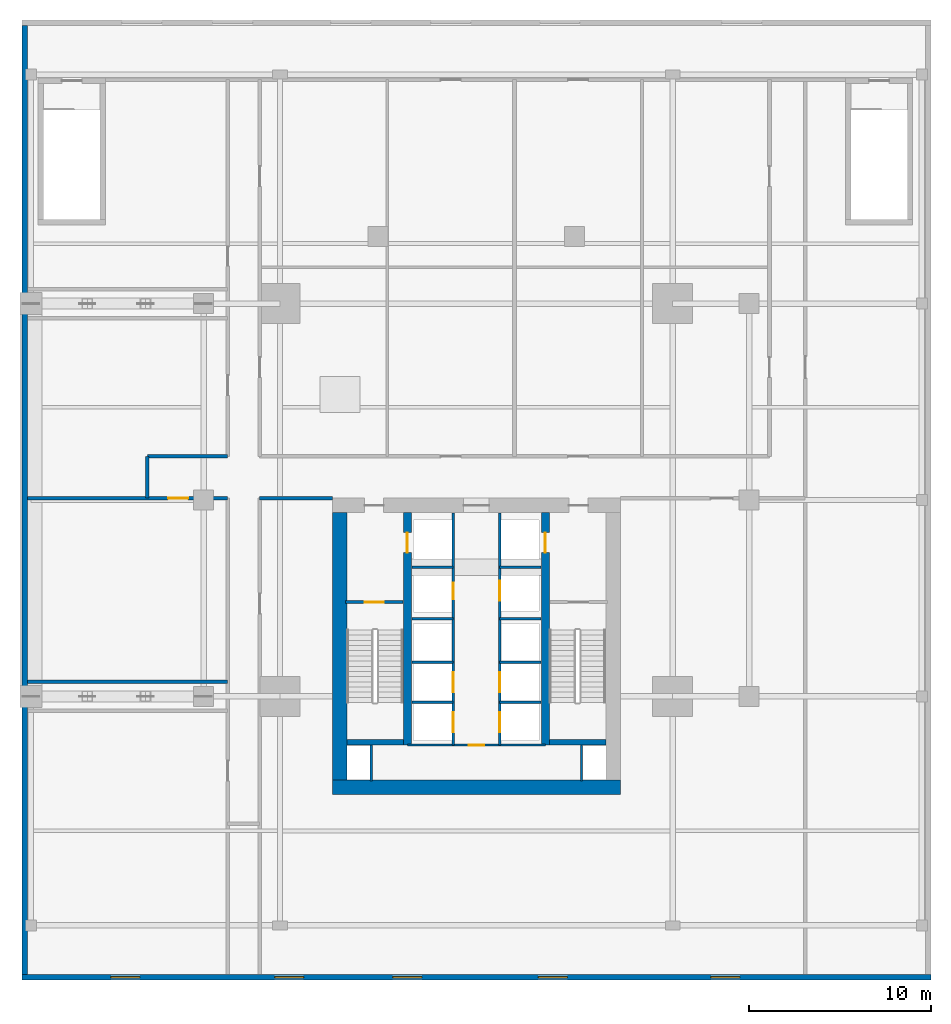
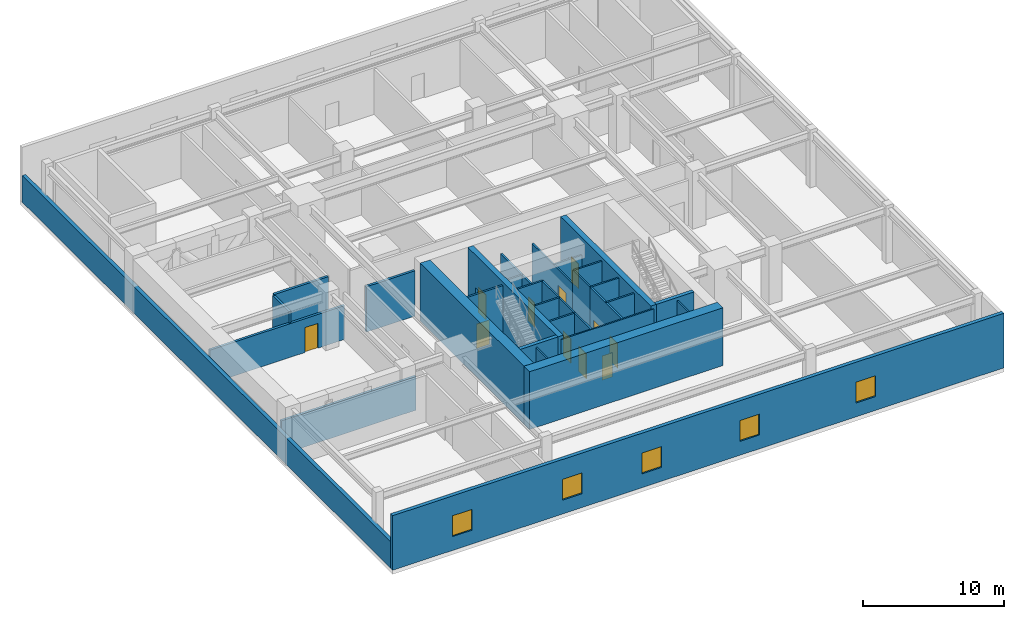
# One storey, part 3 of 7: 31 walls, 11 doors, 5 windows, 16 openings.
"""IFC4 building model written with IfcOpenShell, lengths in metres."""

from ifc_helpers import new_model, si_unit, direction, frame, frame_2d, origin, place, context, subcontext, project, spatial, rectangle, extrude, material, layer, layer_set, type_object, element, fill, save


model = new_model("IFC4")

# Units and contexts
model_context = context("Model", 3, precision=1e-05, world=origin(), true_north=direction((0.0, 1.0)))
body_context = subcontext(model_context, "Body", "Model", "MODEL_VIEW")
ifc_project = project(units=[si_unit("LENGTHUNIT", "METRE"), si_unit("AREAUNIT", "SQUARE_METRE"), si_unit("VOLUMEUNIT", "CUBIC_METRE"), si_unit("PLANEANGLEUNIT", "RADIAN"), si_unit("MASSUNIT", "GRAM", prefix="KILO")], contexts=[model_context])

# Site, building, storey
site_placement = place(None, origin())
site = spatial("IfcSite", under=ifc_project, at=site_placement, CompositionType="ELEMENT")
building_placement = place(site_placement, origin())
building = spatial("IfcBuilding", under=site, at=building_placement, Name="Krantzveldt Concourse Tower", CompositionType="ELEMENT")
storey_placement = place(building_placement, frame((0.0, 0.0, 20.0)))
storey = spatial("IfcBuildingStorey", under=building, at=storey_placement, Name="L04", CompositionType="ELEMENT", Elevation=20.0)

# Wall, openings, windows
ifc_material_1 = material(Name="Concrete C40/50", Category="concrete")
ifc_layer_1 = layer(ifc_material_1, 0.300048828125, Name="Concrete C40/50", Category="concrete")
ifc_layer_set_1 = layer_set([ifc_layer_1], Name="Concrete C40/50 (WL-EXT-GRAN300)")
wall_type_1 = type_object("IfcWallType", Name="WL-EXT-GRAN300", PredefinedType="SOLIDWALL", material=ifc_layer_set_1)
wall_1_placement = place(storey_placement, frame((61.0, 0.449951171875, 0.0), z_axis=(0.0, 0.0, 1.0), x_axis=(-1.0, 0.0, 0.0)))
wall_1 = element("IfcWall", 1, at=wall_1_placement, inside=storey, type_object=wall_type_1, Name="EW-L04-S", PredefinedType="SOLIDWALL", context=body_context, shape_type="SweptSolid", body=[
    extrude(rectangle(XDim=50.0, YDim=0.300048828125, at=frame_2d((25.0, 0.0))), origin(), (0.0, 0.0, 1.0), 4.719970703125),
])
opening_1_placement = place(wall_1_placement, frame((43.5, 0.0, 1.199951171875)))
opening_1 = element("IfcOpeningElement", 2, at=opening_1_placement, cuts=wall_1, Name="Opening W-LVR-1600x1800", PredefinedType="OPENING", context=body_context, shape_type="SweptSolid", body=[
    extrude(rectangle(XDim=1.60009765625, YDim=1.800048828125, at=frame_2d((0.800048828125, 0.89990234375))), frame((0.0, 0.16015625, 0.0), z_axis=(0.0, -1.0, 0.0), x_axis=(1.0, 0.0, 0.0)), (0.0, 0.0, 1.0), 0.320068359375),
])
opening_2_placement = place(wall_1_placement, frame((34.5, 0.0, 1.199951171875)))
opening_2 = element("IfcOpeningElement", 3, at=opening_2_placement, cuts=wall_1, Name="Opening W-LVR-1600x1800", PredefinedType="OPENING", context=body_context, shape_type="SweptSolid", body=[
    extrude(rectangle(XDim=1.60009765625, YDim=1.800048828125, at=frame_2d((0.800048828125, 0.89990234375))), frame((0.0, 0.16015625, 0.0), z_axis=(0.0, -1.0, 0.0), x_axis=(1.0, 0.0, 0.0)), (0.0, 0.0, 1.0), 0.320068359375),
])
opening_3_placement = place(wall_1_placement, frame((28.0, 0.0, 1.199951171875)))
opening_3 = element("IfcOpeningElement", 4, at=opening_3_placement, cuts=wall_1, Name="Opening W-LVR-1600x1800", PredefinedType="OPENING", context=body_context, shape_type="SweptSolid", body=[
    extrude(rectangle(XDim=1.60009765625, YDim=1.800048828125, at=frame_2d((0.800048828125, 0.89990234375))), frame((0.0, 0.16015625, 0.0), z_axis=(0.0, -1.0, 0.0), x_axis=(1.0, 0.0, 0.0)), (0.0, 0.0, 1.0), 0.320068359375),
])
opening_4_placement = place(wall_1_placement, frame((20.0, 0.0, 1.199951171875)))
opening_4 = element("IfcOpeningElement", 5, at=opening_4_placement, cuts=wall_1, Name="Opening W-LVR-1600x1800", PredefinedType="OPENING", context=body_context, shape_type="SweptSolid", body=[
    extrude(rectangle(XDim=1.60009765625, YDim=1.800048828125, at=frame_2d((0.800048828125, 0.89990234375))), frame((0.0, 0.16015625, 0.0), z_axis=(0.0, -1.0, 0.0), x_axis=(1.0, 0.0, 0.0)), (0.0, 0.0, 1.0), 0.320068359375),
])
opening_5_placement = place(wall_1_placement, frame((10.5, 0.0, 1.199951171875)))
opening_5 = element("IfcOpeningElement", 6, at=opening_5_placement, cuts=wall_1, Name="Opening W-LVR-1600x1800", PredefinedType="OPENING", context=body_context, shape_type="SweptSolid", body=[
    extrude(rectangle(XDim=1.60009765625, YDim=1.800048828125, at=frame_2d((0.800048828125, 0.89990234375))), frame((0.0, 0.16015625, 0.0), z_axis=(0.0, -1.0, 0.0), x_axis=(1.0, 0.0, 0.0)), (0.0, 0.0, 1.0), 0.320068359375),
])
ifc_material_2 = material(Name="Bronze-tinted laminated low-E IGU glass", Category="glass")
window_type = type_object("IfcWindowType", Name="WN-LVR-1600x1800", PartitioningType="SINGLE_PANEL", PredefinedType="WINDOW", material=ifc_material_2)
window_1_placement = place(opening_1_placement, origin())
window_1 = element("IfcWindow", 7, at=window_1_placement, inside=storey, type_object=window_type, Name="WN-L04-S01", OverallHeight=1.800048828125, OverallWidth=1.60009765625, PartitioningType="SINGLE_PANEL", PredefinedType="WINDOW", context=body_context, shape_type="SweptSolid", body=[
    extrude(rectangle(XDim=1.60009765625, YDim=1.800048828125, at=frame_2d((0.800048828125, 0.89990234375))), frame((0.0, 0.030029296875, 0.0), z_axis=(0.0, -1.0, 0.0), x_axis=(1.0, 0.0, 0.0)), (0.0, 0.0, 1.0), 0.06005859375),
])
fill(opening_1, window_1)
window_2_placement = place(opening_2_placement, origin())
window_2 = element("IfcWindow", 8, at=window_2_placement, inside=storey, type_object=window_type, Name="WN-L04-S02", OverallHeight=1.800048828125, OverallWidth=1.60009765625, PartitioningType="SINGLE_PANEL", PredefinedType="WINDOW", context=body_context, shape_type="SweptSolid", body=[
    extrude(rectangle(XDim=1.60009765625, YDim=1.800048828125, at=frame_2d((0.800048828125, 0.89990234375))), frame((0.0, 0.030029296875, 0.0), z_axis=(0.0, -1.0, 0.0), x_axis=(1.0, 0.0, 0.0)), (0.0, 0.0, 1.0), 0.06005859375),
])
fill(opening_2, window_2)
window_3_placement = place(opening_3_placement, origin())
window_3 = element("IfcWindow", 9, at=window_3_placement, inside=storey, type_object=window_type, Name="WN-L04-S03", OverallHeight=1.800048828125, OverallWidth=1.60009765625, PartitioningType="SINGLE_PANEL", PredefinedType="WINDOW", context=body_context, shape_type="SweptSolid", body=[
    extrude(rectangle(XDim=1.60009765625, YDim=1.800048828125, at=frame_2d((0.800048828125, 0.89990234375))), frame((0.0, 0.030029296875, 0.0), z_axis=(0.0, -1.0, 0.0), x_axis=(1.0, 0.0, 0.0)), (0.0, 0.0, 1.0), 0.06005859375),
])
fill(opening_3, window_3)
window_4_placement = place(opening_4_placement, origin())
window_4 = element("IfcWindow", 10, at=window_4_placement, inside=storey, type_object=window_type, Name="WN-L04-S04", OverallHeight=1.800048828125, OverallWidth=1.60009765625, PartitioningType="SINGLE_PANEL", PredefinedType="WINDOW", context=body_context, shape_type="SweptSolid", body=[
    extrude(rectangle(XDim=1.60009765625, YDim=1.800048828125, at=frame_2d((0.800048828125, 0.89990234375))), frame((0.0, 0.030029296875, 0.0), z_axis=(0.0, -1.0, 0.0), x_axis=(1.0, 0.0, 0.0)), (0.0, 0.0, 1.0), 0.06005859375),
])
fill(opening_4, window_4)
window_5_placement = place(opening_5_placement, origin())
window_5 = element("IfcWindow", 11, at=window_5_placement, inside=storey, type_object=window_type, Name="WN-L04-S05", OverallHeight=1.800048828125, OverallWidth=1.60009765625, PartitioningType="SINGLE_PANEL", PredefinedType="WINDOW", context=body_context, shape_type="SweptSolid", body=[
    extrude(rectangle(XDim=1.60009765625, YDim=1.800048828125, at=frame_2d((0.800048828125, 0.89990234375))), frame((0.0, 0.030029296875, 0.0), z_axis=(0.0, -1.0, 0.0), x_axis=(1.0, 0.0, 0.0)), (0.0, 0.0, 1.0), 0.06005859375),
])
fill(opening_5, window_5)

# Wall
wall_2_placement = place(storey_placement, frame((11.14990234375, 0.60009765625, 0.0), z_axis=(0.0, 0.0, 1.0), x_axis=(0.0, 1.0, 0.0)))
element("IfcWall", 12, at=wall_2_placement, inside=storey, type_object=wall_type_1, Name="EW-L04-W", PredefinedType="SOLIDWALL", context=body_context, shape_type="SweptSolid", body=[
    extrude(rectangle(XDim=52.199951171875, YDim=0.300048828125, at=frame_2d((26.10009765625, 0.0))), origin(), (0.0, 0.0, 1.0), 2.300048828125),
])

# Wall, opening, door
ifc_material_3 = material(Name="Fire-rated gypsum plasterboard on steel stud", Category="steel")
ifc_layer_2 = layer(ifc_material_3, 0.1201171875, Name="Fire-rated gypsum plasterboard on steel stud", Category="steel")
ifc_layer_set_2 = layer_set([ifc_layer_2], Name="Fire-rated gypsum plasterboard on steel stud (WL-PART-120)")
wall_type_2 = type_object("IfcWallType", Name="WL-PART-120", PredefinedType="PARTITIONING", material=ifc_layer_set_2)
wall_3_placement = place(storey_placement, frame((32.2099609375, 13.219970703125, 0.0), z_axis=(0.0, 0.0, 1.0), x_axis=(1.0, 0.0, 0.0)))
wall_3 = element("IfcWall", 13, at=wall_3_placement, inside=storey, type_object=wall_type_2, Name="WP-L04-CS2H", PredefinedType="PARTITIONING", context=body_context, shape_type="SweptSolid", body=[
    extrude(rectangle(XDim=7.580078125, YDim=0.1201171875, at=frame_2d((3.7900390625, 0.0))), origin(), (0.0, 0.0, 1.0), 4.719970703125),
])
opening_6_placement = place(wall_3_placement, frame((3.364990234375, 0.0, 0.0)))
opening_6 = element("IfcOpeningElement", 14, at=opening_6_placement, cuts=wall_3, Name="Opening D-IN085", PredefinedType="OPENING", context=body_context, shape_type="SweptSolid", body=[
    extrude(rectangle(XDim=0.85009765625, YDim=2.10009765625, at=frame_2d((0.425048828125, 1.050048828125))), frame((0.0, 0.070068359375, 0.0), z_axis=(0.0, -1.0, 0.0), x_axis=(1.0, 0.0, 0.0)), (0.0, 0.0, 1.0), 0.14013671875),
])
ifc_material_4 = material(Name="Hardwood timber", Category="wood")
door_type_1 = type_object("IfcDoorType", Name="DR-INT-850", OperationType="SINGLE_SWING_LEFT", PredefinedType="DOOR", material=ifc_material_4)
door_1_placement = place(opening_6_placement, origin())
door_1 = element("IfcDoor", 15, at=door_1_placement, inside=storey, type_object=door_type_1, Name="DR-L04-CSC1", OperationType="SINGLE_SWING_RIGHT", OverallHeight=2.10009765625, OverallWidth=0.85009765625, PredefinedType="DOOR", context=body_context, shape_type="SweptSolid", body=[
    extrude(rectangle(XDim=0.85009765625, YDim=2.10009765625, at=frame_2d((0.425048828125, 1.050048828125))), frame((0.0, 0.02490234375, 0.0), z_axis=(0.0, -1.0, 0.0), x_axis=(1.0, 0.0, 0.0)), (0.0, 0.0, 1.0), 0.050048828125),
])
fill(opening_6, door_1)

ifc_layer_3 = layer(ifc_material_3, 0.139892578125, Name="Fire-rated gypsum plasterboard on steel stud", Category="steel")
ifc_layer_set_3 = layer_set([ifc_layer_3], Name="Fire-rated gypsum plasterboard on steel stud (WL-PART-FR140)")
wall_type_3 = type_object("IfcWallType", Name="WL-PART-FR140", PredefinedType="PARTITIONING", material=ifc_layer_set_3)
wall_4_placement = place(storey_placement, frame((34.719970703125, 20.199951171875, 0.0), z_axis=(0.0, 0.0, 1.0), x_axis=(0.0, 1.0, 0.0)))
wall_4 = element("IfcWall", 16, at=wall_4_placement, inside=storey, type_object=wall_type_3, Name="WP-L04-SHNW", PredefinedType="PARTITIONING", context=body_context, shape_type="SweptSolid", body=[
    extrude(rectangle(XDim=5.780029296875, YDim=0.139892578125, at=frame_2d((2.89013671875, 0.0))), origin(), (0.0, 0.0, 1.0), 3.52001953125),
])
opening_7_placement = place(wall_4_placement, frame((1.050048828125, 0.0, 0.0)))
opening_7 = element("IfcOpeningElement", 17, at=opening_7_placement, cuts=wall_4, Name="Opening D-FD090", PredefinedType="OPENING", context=body_context, shape_type="SweptSolid", body=[
    extrude(rectangle(XDim=0.89990234375, YDim=2.10009765625, at=frame_2d((0.449951171875, 1.050048828125))), frame((0.0, 0.080078125, 0.0), z_axis=(0.0, -1.0, 0.0), x_axis=(1.0, 0.0, 0.0)), (0.0, 0.0, 1.0), 0.159912109375),
])
door_type_2 = type_object("IfcDoorType", Name="DR-FD60-900", OperationType="SINGLE_SWING_LEFT", PredefinedType="DOOR", material=ifc_material_4)
door_2_placement = place(opening_7_placement, origin())
door_2 = element("IfcDoor", 18, at=door_2_placement, inside=storey, type_object=door_type_2, Name="Electrical Riser Access Door L04", OperationType="SINGLE_SWING_LEFT", OverallHeight=2.10009765625, OverallWidth=0.89990234375, PredefinedType="DOOR", context=body_context, shape_type="SweptSolid", body=[
    extrude(rectangle(XDim=0.89990234375, YDim=2.10009765625, at=frame_2d((0.449951171875, 1.050048828125))), frame((0.0, 0.02490234375, 0.0), z_axis=(0.0, -1.0, 0.0), x_axis=(1.0, 0.0, 0.0)), (0.0, 0.0, 1.0), 0.050048828125),
])
fill(opening_7, door_2)

wall_5_placement = place(storey_placement, frame((37.280029296875, 20.199951171875, 0.0), z_axis=(0.0, 0.0, 1.0), x_axis=(0.0, 1.0, 0.0)))
wall_5 = element("IfcWall", 19, at=wall_5_placement, inside=storey, type_object=wall_type_3, Name="WP-L04-SHNE", PredefinedType="PARTITIONING", context=body_context, shape_type="SweptSolid", body=[
    extrude(rectangle(XDim=5.780029296875, YDim=0.139892578125, at=frame_2d((2.89013671875, 0.0))), origin(), (0.0, 0.0, 1.0), 3.52001953125),
])
opening_8_placement = place(wall_5_placement, frame((0.949951171875, 0.0, 0.0)))
opening_8 = element("IfcOpeningElement", 20, at=opening_8_placement, cuts=wall_5, Name="Opening LD", PredefinedType="OPENING", context=body_context, shape_type="SweptSolid", body=[
    extrude(rectangle(XDim=1.10009765625, YDim=2.14990234375, at=frame_2d((0.550048828125, 1.074951171875))), frame((0.0, 0.080078125, 0.0), z_axis=(0.0, -1.0, 0.0), x_axis=(1.0, 0.0, 0.0)), (0.0, 0.0, 1.0), 0.159912109375),
])
ifc_material_5 = material(Name="Stainless steel 316L", Category="steel")
door_type_3 = type_object("IfcDoorType", Name="DR-SLIDE-LD1100", OperationType="DOUBLE_DOOR_SLIDING", PredefinedType="DOOR", material=ifc_material_5)
door_3_placement = place(opening_8_placement, origin())
door_3 = element("IfcDoor", 21, at=door_3_placement, inside=storey, type_object=door_type_3, Name="LD-L04-GL1", OperationType="DOUBLE_DOOR_SLIDING", OverallHeight=2.14990234375, OverallWidth=1.10009765625, PredefinedType="DOOR", context=body_context, shape_type="SweptSolid", body=[
    extrude(rectangle(XDim=1.10009765625, YDim=2.14990234375, at=frame_2d((0.550048828125, 1.074951171875))), frame((0.0, 0.02490234375, 0.0), z_axis=(0.0, -1.0, 0.0), x_axis=(1.0, 0.0, 0.0)), (0.0, 0.0, 1.0), 0.050048828125),
])
fill(opening_8, door_3)

# Walls
for number, where, z_axis, x_axis, name in (
    (22, (32.449951171875, 23.0, 0.0), (0.0, 0.0, 1.0), (1.0, 0.0, 0.0), "WP-L04-RISH"),
    (23, (37.280029296875, 23.0, 0.0), (0.0, 0.0, 1.0), (1.0, 0.0, 0.0), "WP-L04-GLH"),
):
    element("IfcWall", number, at=place(storey_placement, frame(where, z_axis=z_axis, x_axis=x_axis)), inside=storey, type_object=wall_type_3, Name=name, PredefinedType="PARTITIONING", context=body_context, shape_type="SweptSolid", body=[
        extrude(rectangle(XDim=2.27001953125, YDim=0.139892578125, at=frame_2d((1.135009765625, 0.0))), origin(), (0.0, 0.0, 1.0), 3.52001953125),
    ])
for number, where, z_axis, x_axis, name in (
    (24, (34.719970703125, 17.780029296875, 0.0), (0.0, 0.0, 1.0), (0.0, 1.0, 0.0), "WP-L04-SHNW2"),
    (25, (37.280029296875, 17.780029296875, 0.0), (0.0, 0.0, 1.0), (0.0, 1.0, 0.0), "WP-L04-SHNE2"),
):
    element("IfcWall", number, at=place(storey_placement, frame(where, z_axis=z_axis, x_axis=x_axis)), inside=storey, type_object=wall_type_3, Name=name, PredefinedType="PARTITIONING", context=body_context, shape_type="SweptSolid", body=[
        extrude(rectangle(XDim=2.419921875, YDim=0.139892578125, at=frame_2d((1.2099609375, 0.0))), origin(), (0.0, 0.0, 1.0), 4.719970703125),
    ])
for number, where, z_axis, x_axis, name in (
    (26, (32.449951171875, 17.780029296875, 0.0), (0.0, 0.0, 1.0), (1.0, 0.0, 0.0), "WP-L04-DIVW2"),
    (27, (32.449951171875, 20.179931640625, 0.0), (0.0, 0.0, 1.0), (1.0, 0.0, 0.0), "WP-L04-DIVW3"),
    (28, (37.280029296875, 17.780029296875, 0.0), (0.0, 0.0, 1.0), (1.0, 0.0, 0.0), "WP-L04-DIVE2"),
    (29, (37.280029296875, 20.179931640625, 0.0), (0.0, 0.0, 1.0), (1.0, 0.0, 0.0), "WP-L04-DIVE3"),
):
    element("IfcWall", number, at=place(storey_placement, frame(where, z_axis=z_axis, x_axis=x_axis)), inside=storey, type_object=wall_type_3, Name=name, PredefinedType="PARTITIONING", context=body_context, shape_type="SweptSolid", body=[
        extrude(rectangle(XDim=2.27001953125, YDim=0.139892578125, at=frame_2d((1.135009765625, 0.0))), origin(), (0.0, 0.0, 1.0), 4.719970703125),
    ])

# Wall, openings, doors
wall_6_placement = place(storey_placement, frame((34.719970703125, 13.219970703125, 0.0), z_axis=(0.0, 0.0, 1.0), x_axis=(0.0, 1.0, 0.0)))
wall_6 = element("IfcWall", 30, at=wall_6_placement, inside=storey, type_object=wall_type_3, Name="WP-L04-SHSW", PredefinedType="PARTITIONING", context=body_context, shape_type="SweptSolid", body=[
    extrude(rectangle(XDim=4.56005859375, YDim=0.139892578125, at=frame_2d((2.280029296875, 0.0))), origin(), (0.0, 0.0, 1.0), 4.719970703125),
])
opening_9_placement = place(wall_6_placement, frame((0.7099609375, 0.0, 0.0)))
opening_9 = element("IfcOpeningElement", 31, at=opening_9_placement, cuts=wall_6, Name="Opening LD", PredefinedType="OPENING", context=body_context, shape_type="SweptSolid", body=[
    extrude(rectangle(XDim=1.10009765625, YDim=2.14990234375, at=frame_2d((0.550048828125, 1.074951171875))), frame((0.0, 0.080078125, 0.0), z_axis=(0.0, -1.0, 0.0), x_axis=(1.0, 0.0, 0.0)), (0.0, 0.0, 1.0), 0.159912109375),
])
opening_10_placement = place(wall_6_placement, frame((2.909912109375, 0.0, 0.0)))
opening_10 = element("IfcOpeningElement", 32, at=opening_10_placement, cuts=wall_6, Name="Opening LD", PredefinedType="OPENING", context=body_context, shape_type="SweptSolid", body=[
    extrude(rectangle(XDim=1.10009765625, YDim=2.14990234375, at=frame_2d((0.550048828125, 1.074951171875))), frame((0.0, 0.080078125, 0.0), z_axis=(0.0, -1.0, 0.0), x_axis=(1.0, 0.0, 0.0)), (0.0, 0.0, 1.0), 0.159912109375),
])
door_4_placement = place(opening_9_placement, origin())
door_4 = element("IfcDoor", 33, at=door_4_placement, inside=storey, type_object=door_type_3, Name="LD-L04-PL1", OperationType="DOUBLE_DOOR_SLIDING", OverallHeight=2.14990234375, OverallWidth=1.10009765625, PredefinedType="DOOR", context=body_context, shape_type="SweptSolid", body=[
    extrude(rectangle(XDim=1.10009765625, YDim=2.14990234375, at=frame_2d((0.550048828125, 1.074951171875))), frame((0.0, 0.02490234375, 0.0), z_axis=(0.0, -1.0, 0.0), x_axis=(1.0, 0.0, 0.0)), (0.0, 0.0, 1.0), 0.050048828125),
])
fill(opening_9, door_4)
door_5_placement = place(opening_10_placement, origin())
door_5 = element("IfcDoor", 34, at=door_5_placement, inside=storey, type_object=door_type_3, Name="LD-L04-PL2", OperationType="DOUBLE_DOOR_SLIDING", OverallHeight=2.14990234375, OverallWidth=1.10009765625, PredefinedType="DOOR", context=body_context, shape_type="SweptSolid", body=[
    extrude(rectangle(XDim=1.10009765625, YDim=2.14990234375, at=frame_2d((0.550048828125, 1.074951171875))), frame((0.0, 0.02490234375, 0.0), z_axis=(0.0, -1.0, 0.0), x_axis=(1.0, 0.0, 0.0)), (0.0, 0.0, 1.0), 0.050048828125),
])
fill(opening_10, door_5)

# Wall
wall_7_placement = place(storey_placement, frame((32.449951171875, 15.580078125, 0.0), z_axis=(0.0, 0.0, 1.0), x_axis=(1.0, 0.0, 0.0)))
element("IfcWall", 35, at=wall_7_placement, inside=storey, type_object=wall_type_3, Name="WP-L04-DIVW1", PredefinedType="PARTITIONING", context=body_context, shape_type="SweptSolid", body=[
    extrude(rectangle(XDim=2.27001953125, YDim=0.139892578125, at=frame_2d((1.135009765625, 0.0))), origin(), (0.0, 0.0, 1.0), 4.719970703125),
])

# Wall, openings, doors
wall_8_placement = place(storey_placement, frame((37.280029296875, 13.219970703125, 0.0), z_axis=(0.0, 0.0, 1.0), x_axis=(0.0, 1.0, 0.0)))
wall_8 = element("IfcWall", 36, at=wall_8_placement, inside=storey, type_object=wall_type_3, Name="WP-L04-SHSE", PredefinedType="PARTITIONING", context=body_context, shape_type="SweptSolid", body=[
    extrude(rectangle(XDim=4.56005859375, YDim=0.139892578125, at=frame_2d((2.280029296875, 0.0))), origin(), (0.0, 0.0, 1.0), 4.719970703125),
])
opening_11_placement = place(wall_8_placement, frame((0.7099609375, 0.0, 0.0)))
opening_11 = element("IfcOpeningElement", 37, at=opening_11_placement, cuts=wall_8, Name="Opening LD", PredefinedType="OPENING", context=body_context, shape_type="SweptSolid", body=[
    extrude(rectangle(XDim=1.10009765625, YDim=2.14990234375, at=frame_2d((0.550048828125, 1.074951171875))), frame((0.0, 0.080078125, 0.0), z_axis=(0.0, -1.0, 0.0), x_axis=(1.0, 0.0, 0.0)), (0.0, 0.0, 1.0), 0.159912109375),
])
opening_12_placement = place(wall_8_placement, frame((2.909912109375, 0.0, 0.0)))
opening_12 = element("IfcOpeningElement", 38, at=opening_12_placement, cuts=wall_8, Name="Opening LD", PredefinedType="OPENING", context=body_context, shape_type="SweptSolid", body=[
    extrude(rectangle(XDim=1.10009765625, YDim=2.14990234375, at=frame_2d((0.550048828125, 1.074951171875))), frame((0.0, 0.080078125, 0.0), z_axis=(0.0, -1.0, 0.0), x_axis=(1.0, 0.0, 0.0)), (0.0, 0.0, 1.0), 0.159912109375),
])
door_6_placement = place(opening_11_placement, origin())
door_6 = element("IfcDoor", 39, at=door_6_placement, inside=storey, type_object=door_type_3, Name="LD-L04-PM1", OperationType="DOUBLE_DOOR_SLIDING", OverallHeight=2.14990234375, OverallWidth=1.10009765625, PredefinedType="DOOR", context=body_context, shape_type="SweptSolid", body=[
    extrude(rectangle(XDim=1.10009765625, YDim=2.14990234375, at=frame_2d((0.550048828125, 1.074951171875))), frame((0.0, 0.02490234375, 0.0), z_axis=(0.0, -1.0, 0.0), x_axis=(1.0, 0.0, 0.0)), (0.0, 0.0, 1.0), 0.050048828125),
])
fill(opening_11, door_6)
door_7_placement = place(opening_12_placement, origin())
door_7 = element("IfcDoor", 40, at=door_7_placement, inside=storey, type_object=door_type_3, Name="LD-L04-PM2", OperationType="DOUBLE_DOOR_SLIDING", OverallHeight=2.14990234375, OverallWidth=1.10009765625, PredefinedType="DOOR", context=body_context, shape_type="SweptSolid", body=[
    extrude(rectangle(XDim=1.10009765625, YDim=2.14990234375, at=frame_2d((0.550048828125, 1.074951171875))), frame((0.0, 0.02490234375, 0.0), z_axis=(0.0, -1.0, 0.0), x_axis=(1.0, 0.0, 0.0)), (0.0, 0.0, 1.0), 0.050048828125),
])
fill(opening_12, door_7)

# Walls
wall_9_placement = place(storey_placement, frame((37.280029296875, 15.580078125, 0.0), z_axis=(0.0, 0.0, 1.0), x_axis=(1.0, 0.0, 0.0)))
element("IfcWall", 41, at=wall_9_placement, inside=storey, type_object=wall_type_3, Name="WP-L04-DIVE1", PredefinedType="PARTITIONING", context=body_context, shape_type="SweptSolid", body=[
    extrude(rectangle(XDim=2.27001953125, YDim=0.139892578125, at=frame_2d((1.135009765625, 0.0))), origin(), (0.0, 0.0, 1.0), 4.719970703125),
])
for number, where, z_axis, x_axis, name in (
    (42, (30.219970703125, 11.25, 0.0), (0.0, 0.0, 1.0), (0.0, 1.0, 0.0), "WP-L04-RSW"),
    (43, (41.780029296875, 11.25, 0.0), (0.0, 0.0, 1.0), (0.0, 1.0, 0.0), "WP-L04-RSE"),
):
    element("IfcWall", number, at=place(storey_placement, frame(where, z_axis=z_axis, x_axis=x_axis)), inside=storey, type_object=wall_type_3, Name=name, PredefinedType="PARTITIONING", context=body_context, shape_type="SweptSolid", body=[
        extrude(rectangle(XDim=1.969970703125, YDim=0.1201171875, at=frame_2d((0.98486328125, 0.0))), origin(), (0.0, 0.0, 1.0), 4.719970703125),
    ])

# Wall, opening, door
ifc_layer_4 = layer(ifc_material_3, 0.159912109375, Name="Fire-rated gypsum plasterboard on steel stud", Category="steel")
ifc_layer_set_4 = layer_set([ifc_layer_4], Name="Fire-rated gypsum plasterboard on steel stud (WL-PART-FR160)")
wall_type_4 = type_object("IfcWallType", Name="WL-PART-FR160", PredefinedType="PARTITIONING", material=ifc_layer_set_4)
wall_10_placement = place(storey_placement, frame((28.800048828125, 21.080078125, 0.0), z_axis=(0.0, 0.0, 1.0), x_axis=(1.0, 0.0, 0.0)))
wall_10 = element("IfcWall", 44, at=wall_10_placement, inside=storey, type_object=wall_type_4, Name="WP-L04-ST1", PredefinedType="PARTITIONING", context=body_context, shape_type="SweptSolid", body=[
    extrude(rectangle(XDim=3.159912109375, YDim=0.159912109375, at=frame_2d((1.580078125, 0.0))), origin(), (0.0, 0.0, 1.0), 4.719970703125),
])
opening_13_placement = place(wall_10_placement, frame((1.054931640625, 0.0, 0.0)))
opening_13 = element("IfcOpeningElement", 45, at=opening_13_placement, cuts=wall_10, Name="Opening D-FD105", PredefinedType="OPENING", context=body_context, shape_type="SweptSolid", body=[
    extrude(rectangle(XDim=1.050048828125, YDim=2.10009765625, at=frame_2d((0.52490234375, 1.050048828125))), frame((0.0, 0.08984375, 0.0), z_axis=(0.0, -1.0, 0.0), x_axis=(1.0, 0.0, 0.0)), (0.0, 0.0, 1.0), 0.179931640625),
])
ifc_material_6 = material(Name="Galvanised steel", Category="steel")
door_type_4 = type_object("IfcDoorType", Name="DR-FD120-1050", OperationType="SINGLE_SWING_LEFT", PredefinedType="DOOR", material=ifc_material_6)
door_8_placement = place(opening_13_placement, origin())
door_8 = element("IfcDoor", 46, at=door_8_placement, inside=storey, type_object=door_type_4, Name="DR-L04-ST1", OperationType="SINGLE_SWING_RIGHT", OverallHeight=2.10009765625, OverallWidth=1.050048828125, PredefinedType="DOOR", context=body_context, shape_type="SweptSolid", body=[
    extrude(rectangle(XDim=1.050048828125, YDim=2.10009765625, at=frame_2d((0.52490234375, 1.050048828125))), frame((0.0, 0.02490234375, 0.0), z_axis=(0.0, -1.0, 0.0), x_axis=(1.0, 0.0, 0.0)), (0.0, 0.0, 1.0), 0.050048828125),
])
fill(opening_13, door_8)

ifc_layer_5 = layer(ifc_material_3, 0.199951171875, Name="Fire-rated gypsum plasterboard on steel stud", Category="steel")
ifc_layer_set_5 = layer_set([ifc_layer_5], Name="Fire-rated gypsum plasterboard on steel stud (WL-PART-FR200)")
wall_type_5 = type_object("IfcWallType", Name="WL-PART-FR200", PredefinedType="PARTITIONING", material=ifc_layer_set_5)
wall_11_placement = place(storey_placement, frame((11.304931640625, 26.800048828125, 0.0), z_axis=(0.0, 0.0, 1.0), x_axis=(1.0, 0.0, 0.0)))
wall_11 = element("IfcWall", 47, at=wall_11_placement, inside=storey, type_object=wall_type_5, Name="WP-L04-S1", PredefinedType="PARTITIONING", context=body_context, shape_type="SweptSolid", body=[
    extrude(rectangle(XDim=11.01513671875, YDim=0.199951171875, at=frame_2d((5.507568359375, 0.0))), origin(), (0.0, 0.0, 1.0), 2.919921875),
])
opening_14_placement = place(wall_11_placement, frame((7.7451171875, 0.0, 0.0)))
opening_14 = element("IfcOpeningElement", 48, at=opening_14_placement, cuts=wall_11, Name="Opening D-FD110", PredefinedType="OPENING", context=body_context, shape_type="SweptSolid", body=[
    extrude(rectangle(XDim=1.10009765625, YDim=2.14990234375, at=frame_2d((0.550048828125, 1.074951171875))), frame((0.0, 0.10986328125, 0.0), z_axis=(0.0, -1.0, 0.0), x_axis=(1.0, 0.0, 0.0)), (0.0, 0.0, 1.0), 0.219970703125),
])
door_type_5 = type_object("IfcDoorType", Name="DR-FD120-1100", OperationType="SINGLE_SWING_LEFT", PredefinedType="DOOR", material=ifc_material_6)
door_9_placement = place(opening_14_placement, origin())
door_9 = element("IfcDoor", 49, at=door_9_placement, inside=storey, type_object=door_type_5, Name="DR-L04-CHIL1", OperationType="SINGLE_SWING_LEFT", OverallHeight=2.14990234375, OverallWidth=1.10009765625, PredefinedType="DOOR", context=body_context, shape_type="SweptSolid", body=[
    extrude(rectangle(XDim=1.10009765625, YDim=2.14990234375, at=frame_2d((0.550048828125, 1.074951171875))), frame((0.0, 0.02490234375, 0.0), z_axis=(0.0, -1.0, 0.0), x_axis=(1.0, 0.0, 0.0)), (0.0, 0.0, 1.0), 0.050048828125),
])
fill(opening_14, door_9)

# Walls
wall_12_placement = place(storey_placement, frame((24.080078125, 26.800048828125, 0.0), z_axis=(0.0, 0.0, 1.0), x_axis=(1.0, 0.0, 0.0)))
element("IfcWall", 50, at=wall_12_placement, inside=storey, type_object=wall_type_5, Name="WP-L04-S1R", PredefinedType="PARTITIONING", context=body_context, shape_type="SweptSolid", body=[
    extrude(rectangle(XDim=4.0, YDim=0.199951171875, at=frame_2d((2.0, 0.0))), origin(), (0.0, 0.0, 1.0), 3.919921875),
])
wall_13_placement = place(storey_placement, frame((11.304931640625, 16.699951171875, 0.0), z_axis=(0.0, 0.0, 1.0), x_axis=(1.0, 0.0, 0.0)))
element("IfcWall", 51, at=wall_13_placement, inside=storey, type_object=wall_type_5, Name="WP-L04-TT1N", PredefinedType="PARTITIONING", context=body_context, shape_type="SweptSolid", body=[
    extrude(rectangle(XDim=11.01513671875, YDim=0.199951171875, at=frame_2d((5.507568359375, 0.0))), origin(), (0.0, 0.0, 1.0), 2.919921875),
])
wall_14_placement = place(storey_placement, frame((17.89990234375, 29.10009765625, 0.0), z_axis=(0.0, 0.0, 1.0), x_axis=(1.0, 0.0, 0.0)))
element("IfcWall", 52, at=wall_14_placement, inside=storey, type_object=wall_type_5, Name="WP-L04-N1L", PredefinedType="PARTITIONING", context=body_context, shape_type="SweptSolid", body=[
    extrude(rectangle(XDim=4.420166015625, YDim=0.199951171875, at=frame_2d((2.2099609375, 0.0))), origin(), (0.0, 0.0, 1.0), 4.030029296875),
])
wall_15_placement = place(storey_placement, frame((17.89990234375, 26.800048828125, 0.0), z_axis=(0.0, 0.0, 1.0), x_axis=(0.0, 1.0, 0.0)))
element("IfcWall", 53, at=wall_15_placement, inside=storey, type_object=wall_type_5, Name="WP-L04-END", PredefinedType="PARTITIONING", context=body_context, shape_type="SweptSolid", body=[
    extrude(rectangle(XDim=2.300048828125, YDim=0.199951171875, at=frame_2d((1.14990234375, 0.0))), origin(), (0.0, 0.0, 1.0), 3.919921875),
])
ifc_material_7 = material(Name="Concrete C50/60", Category="concrete")
ifc_layer_6 = layer(ifc_material_7, 0.300048828125, Name="Concrete C50/60", Category="concrete")
ifc_layer_set_6 = layer_set([ifc_layer_6], Name="Concrete C50/60 (WL-SHEAR-300)")
wall_type_6 = type_object("IfcWallType", Name="WL-SHEAR-300", PredefinedType="SHEAR", material=ifc_layer_set_6)
for number, where, z_axis, x_axis, name in (
    (54, (28.8798828125, 13.3701171875, 0.0), (0.0, 0.0, 1.0), (1.0, 0.0, 0.0), "CW-L04-ST1S"),
    (55, (40.02001953125, 13.3701171875, 0.0), (0.0, 0.0, 1.0), (1.0, 0.0, 0.0), "CW-L04-ST2S"),
):
    element("IfcWall", number, at=place(storey_placement, frame(where, z_axis=z_axis, x_axis=x_axis)), inside=storey, type_object=wall_type_6, Name=name, PredefinedType="SHEAR", context=body_context, shape_type="SweptSolid", body=[
        extrude(rectangle(XDim=3.10009765625, YDim=0.300048828125, at=frame_2d((1.550048828125, 0.0))), origin(), (0.0, 0.0, 1.0), 5.0),
    ])

# Wall, opening, door
ifc_layer_7 = layer(ifc_material_7, 0.449951171875, Name="Concrete C50/60", Category="concrete")
ifc_layer_set_7 = layer_set([ifc_layer_7], Name="Concrete C50/60 (WL-SHEAR-450)")
wall_type_7 = type_object("IfcWallType", Name="WL-SHEAR-450", PredefinedType="SHEAR", material=ifc_layer_set_7)
wall_16_placement = place(storey_placement, frame((32.205078125, 13.219970703125, 0.0), z_axis=(0.0, 0.0, 1.0), x_axis=(0.0, 1.0, 0.0)))
wall_16 = element("IfcWall", 56, at=wall_16_placement, inside=storey, type_object=wall_type_7, Name="CW-L04-IW", PredefinedType="SHEAR", context=body_context, shape_type="SweptSolid", body=[
    extrude(rectangle(XDim=12.780029296875, YDim=0.449951171875, at=frame_2d((6.39013671875, 0.0))), origin(), (0.0, 0.0, 1.0), 5.0),
])
opening_15_placement = place(wall_16_placement, frame((10.580078125, 0.0, 0.0)))
opening_15 = element("IfcOpeningElement", 57, at=opening_15_placement, cuts=wall_16, Name="Opening LD", PredefinedType="OPENING", context=body_context, shape_type="SweptSolid", body=[
    extrude(rectangle(XDim=1.10009765625, YDim=2.14990234375, at=frame_2d((0.550048828125, 1.074951171875))), frame((0.0, 0.23486328125, 0.0), z_axis=(0.0, -1.0, 0.0), x_axis=(1.0, 0.0, 0.0)), (0.0, 0.0, 1.0), 0.469970703125),
])
door_10_placement = place(opening_15_placement, origin())
door_10 = element("IfcDoor", 58, at=door_10_placement, inside=storey, type_object=door_type_3, Name="LD-L04-FL1", OperationType="DOUBLE_DOOR_SLIDING", OverallHeight=2.14990234375, OverallWidth=1.10009765625, PredefinedType="DOOR", context=body_context, shape_type="SweptSolid", body=[
    extrude(rectangle(XDim=1.10009765625, YDim=2.14990234375, at=frame_2d((0.550048828125, 1.074951171875))), frame((0.0, 0.02490234375, 0.0), z_axis=(0.0, -1.0, 0.0), x_axis=(1.0, 0.0, 0.0)), (0.0, 0.0, 1.0), 0.050048828125),
])
fill(opening_15, door_10)

wall_17_placement = place(storey_placement, frame((39.794921875, 13.219970703125, 0.0), z_axis=(0.0, 0.0, 1.0), x_axis=(0.0, 1.0, 0.0)))
wall_17 = element("IfcWall", 59, at=wall_17_placement, inside=storey, type_object=wall_type_7, Name="CW-L04-IE", PredefinedType="SHEAR", context=body_context, shape_type="SweptSolid", body=[
    extrude(rectangle(XDim=12.780029296875, YDim=0.449951171875, at=frame_2d((6.39013671875, 0.0))), origin(), (0.0, 0.0, 1.0), 5.0),
])
opening_16_placement = place(wall_17_placement, frame((10.580078125, 0.0, 0.0)))
opening_16 = element("IfcOpeningElement", 60, at=opening_16_placement, cuts=wall_17, Name="Opening LD", PredefinedType="OPENING", context=body_context, shape_type="SweptSolid", body=[
    extrude(rectangle(XDim=1.10009765625, YDim=2.14990234375, at=frame_2d((0.550048828125, 1.074951171875))), frame((0.0, 0.23486328125, 0.0), z_axis=(0.0, -1.0, 0.0), x_axis=(1.0, 0.0, 0.0)), (0.0, 0.0, 1.0), 0.469970703125),
])
door_11_placement = place(opening_16_placement, origin())
door_11 = element("IfcDoor", 61, at=door_11_placement, inside=storey, type_object=door_type_3, Name="LD-L04-FL2", OperationType="DOUBLE_DOOR_SLIDING", OverallHeight=2.14990234375, OverallWidth=1.10009765625, PredefinedType="DOOR", context=body_context, shape_type="SweptSolid", body=[
    extrude(rectangle(XDim=1.10009765625, YDim=2.14990234375, at=frame_2d((0.550048828125, 1.074951171875))), frame((0.0, 0.02490234375, 0.0), z_axis=(0.0, -1.0, 0.0), x_axis=(1.0, 0.0, 0.0)), (0.0, 0.0, 1.0), 0.050048828125),
])
fill(opening_16, door_11)

# Walls
ifc_material_8 = material(Name="Concrete C60/75", Category="concrete")
ifc_layer_8 = layer(ifc_material_8, 0.800048828125, Name="Concrete C60/75", Category="concrete")
ifc_layer_set_8 = layer_set([ifc_layer_8], Name="Concrete C60/75 (WL-SHEAR-800)")
wall_type_8 = type_object("IfcWallType", Name="WL-SHEAR-800", PredefinedType="SHEAR", material=ifc_layer_set_8)
wall_18_placement = place(storey_placement, frame((28.080078125, 10.89990234375, 0.0), z_axis=(0.0, 0.0, 1.0), x_axis=(1.0, 0.0, 0.0)))
element("IfcWall", 62, at=wall_18_placement, inside=storey, type_object=wall_type_8, Name="CW-L04-S", PredefinedType="SHEAR", context=body_context, shape_type="SweptSolid", body=[
    extrude(rectangle(XDim=15.83984375, YDim=0.800048828125, at=frame_2d((7.919921875, 0.0))), origin(), (0.0, 0.0, 1.0), 5.0),
])
wall_19_placement = place(storey_placement, frame((28.47998046875, 11.300048828125, 0.0), z_axis=(0.0, 0.0, 1.0), x_axis=(0.0, 1.0, 0.0)))
element("IfcWall", 63, at=wall_19_placement, inside=storey, type_object=wall_type_8, Name="CW-L04-W", PredefinedType="SHEAR", context=body_context, shape_type="SweptSolid", body=[
    extrude(rectangle(XDim=14.699951171875, YDim=0.800048828125, at=frame_2d((7.35009765625, 0.0))), origin(), (0.0, 0.0, 1.0), 5.0),
])

save(model, "model.ifc")
